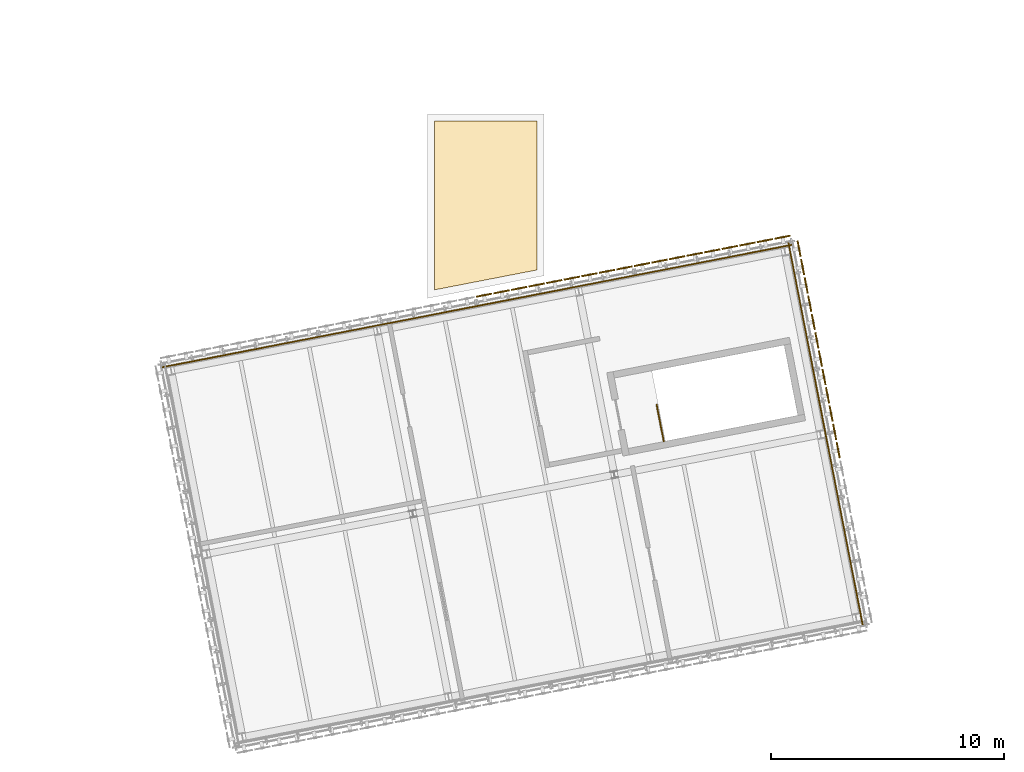
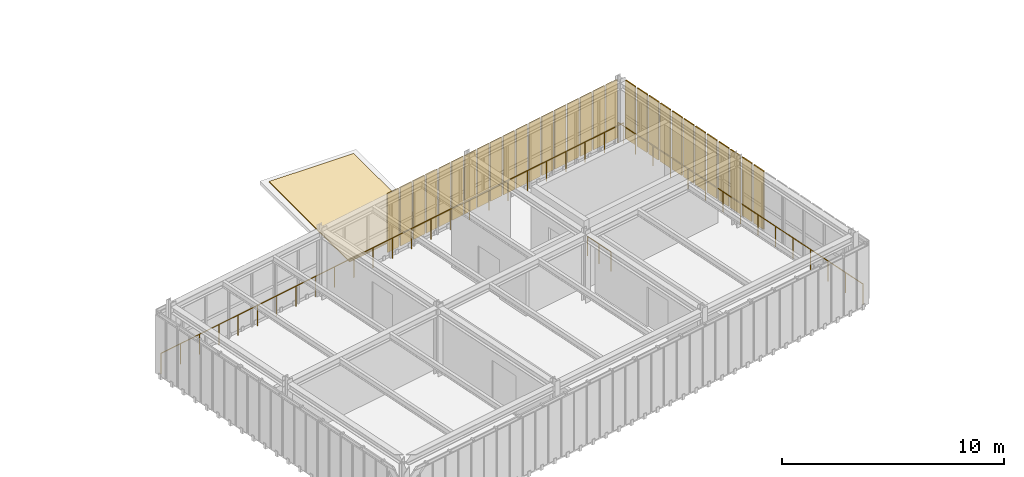
# One storey, part 43 of 44: 30 shading devices, 3 railings, 1 covering.
"""IFC4 building model written with IfcOpenShell, lengths in metres."""

from ifc_helpers import new_model, si_unit, direction, frame, origin, origin_2d, place, context, subcontext, project, spatial, polyline, rectangle, circle, outline, extrude, material, layer, layer_set, type_object, element, save


model = new_model("IFC4")

# Units and contexts
model_context = context("Model", 3, precision=1e-05, world=origin(), true_north=direction((0.0, 1.0)))
body_context = subcontext(model_context, "Body", "Model", "MODEL_VIEW")
ifc_project = project(units=[si_unit("LENGTHUNIT", "METRE"), si_unit("AREAUNIT", "SQUARE_METRE"), si_unit("VOLUMEUNIT", "CUBIC_METRE"), si_unit("PLANEANGLEUNIT", "RADIAN"), si_unit("MASSUNIT", "GRAM", prefix="KILO")], contexts=[model_context])

# Site, building, storey
site_placement = place(None, origin())
site = spatial("IfcSite", under=ifc_project, at=site_placement, CompositionType="ELEMENT")
building_placement = place(site_placement, origin())
building = spatial("IfcBuilding", under=site, at=building_placement, Name="Varnklinge Art Gallery", CompositionType="ELEMENT")
storey_placement = place(building_placement, frame((0.0, 0.0, 13.679931640625)))
storey = spatial("IfcBuildingStorey", under=building, at=storey_placement, Name="L03", CompositionType="ELEMENT", Elevation=13.679931640625)

# Railings
ifc_material_1 = material(Name="Anodised Aluminium", Category="aluminium")
railing_type_1 = type_object("IfcRailingType", Name="BAL-01", PredefinedType="BALUSTRADE", material=ifc_material_1)
railing_1_placement = place(storey_placement, frame((90.47265625, 66.853271484375, 0.0)))
element("IfcRailing", 1, at=railing_1_placement, inside=storey, type_object=railing_type_1, Name="BAL-V4B-L03-2-1", PredefinedType="BALUSTRADE", context=body_context, shape_type="SweptSolid", body=[
    extrude(circle(Radius=0.02392578125, at=origin_2d()), frame((0.0, 0.0, 1.11572265625), z_axis=(-0.19080897967, 0.981627186501, 0.0), x_axis=(-0.981627186501, -0.19080897967, 0.0)), (0.0, 0.0, 1.0), 16.7998046875),
    extrude(circle(Radius=0.02099609375, at=origin_2d()), origin(), (0.0, 0.0, 1.0), 1.091796875),
    extrude(circle(Radius=0.02099609375, at=origin_2d()), frame((-0.22900390625, 1.177978515625, 0.0)), (0.0, 0.0, 1.0), 1.091796875),
    extrude(circle(Radius=0.02099609375, at=origin_2d()), frame((-0.4580078125, 2.35595703125, 0.0)), (0.0, 0.0, 1.0), 1.091796875),
    extrude(circle(Radius=0.02099609375, at=origin_2d()), frame((-0.68701171875, 3.533935546875, 0.0)), (0.0, 0.0, 1.0), 1.091796875),
    extrude(circle(Radius=0.02099609375, at=origin_2d()), frame((-0.915771484375, 4.711669921875, 0.0)), (0.0, 0.0, 1.0), 1.091796875),
    extrude(circle(Radius=0.02099609375, at=origin_2d()), frame((-1.144775390625, 5.8896484375, 0.0)), (0.0, 0.0, 1.0), 1.091796875),
    extrude(circle(Radius=0.02099609375, at=origin_2d()), frame((-1.373779296875, 7.067626953125, 0.0)), (0.0, 0.0, 1.0), 1.091796875),
    extrude(circle(Radius=0.02099609375, at=origin_2d()), frame((-1.602783203125, 8.24560546875, 0.0)), (0.0, 0.0, 1.0), 1.091796875),
    extrude(circle(Radius=0.02099609375, at=origin_2d()), frame((-1.831787109375, 9.423583984375, 0.0)), (0.0, 0.0, 1.0), 1.091796875),
    extrude(circle(Radius=0.02099609375, at=origin_2d()), frame((-2.060791015625, 10.6015625, 0.0)), (0.0, 0.0, 1.0), 1.091796875),
    extrude(circle(Radius=0.02099609375, at=origin_2d()), frame((-2.289794921875, 11.779541015625, 0.0)), (0.0, 0.0, 1.0), 1.091796875),
    extrude(circle(Radius=0.02099609375, at=origin_2d()), frame((-2.5185546875, 12.957275390625, 0.0)), (0.0, 0.0, 1.0), 1.091796875),
    extrude(circle(Radius=0.02099609375, at=origin_2d()), frame((-2.74755859375, 14.13525390625, 0.0)), (0.0, 0.0, 1.0), 1.091796875),
    extrude(circle(Radius=0.02099609375, at=origin_2d()), frame((-2.9765625, 15.313232421875, 0.0)), (0.0, 0.0, 1.0), 1.091796875),
    extrude(circle(Radius=0.02099609375, at=origin_2d()), frame((-3.20556640625, 16.4912109375, 0.0)), (0.0, 0.0, 1.0), 1.091796875),
])
railing_2_placement = place(storey_placement, frame((87.47802734375, 83.2021484375, 0.0)))
element("IfcRailing", 2, at=railing_2_placement, inside=storey, type_object=railing_type_1, Name="BAL-V4B-L03-3-1", PredefinedType="BALUSTRADE", context=body_context, shape_type="SweptSolid", body=[
    extrude(circle(Radius=0.02392578125, at=origin_2d()), frame((0.0, 0.0, 1.11572265625), z_axis=(-0.981627127192, -0.190809284787, 0.0), x_axis=(0.190809284787, -0.981627127192, 0.0)), (0.0, 0.0, 1.0), 27.60009765625),
    extrude(circle(Radius=0.02099609375, at=origin_2d()), origin(), (0.0, 0.0, 1.0), 1.091796875),
    extrude(circle(Radius=0.02099609375, at=origin_2d()), frame((-1.12890625, -0.219482421875, 0.0)), (0.0, 0.0, 1.0), 1.091796875),
    extrude(circle(Radius=0.02099609375, at=origin_2d()), frame((-2.2578125, -0.43896484375, 0.0)), (0.0, 0.0, 1.0), 1.091796875),
    extrude(circle(Radius=0.02099609375, at=origin_2d()), frame((-3.38671875, -0.658203125, 0.0)), (0.0, 0.0, 1.0), 1.091796875),
    extrude(circle(Radius=0.02099609375, at=origin_2d()), frame((-4.515625, -0.877685546875, 0.0)), (0.0, 0.0, 1.0), 1.091796875),
    extrude(circle(Radius=0.02099609375, at=origin_2d()), frame((-5.644287109375, -1.09716796875, 0.0)), (0.0, 0.0, 1.0), 1.091796875),
    extrude(circle(Radius=0.02099609375, at=origin_2d()), frame((-6.773193359375, -1.316650390625, 0.0)), (0.0, 0.0, 1.0), 1.091796875),
    extrude(circle(Radius=0.02099609375, at=origin_2d()), frame((-7.902099609375, -1.5361328125, 0.0)), (0.0, 0.0, 1.0), 1.091796875),
    extrude(circle(Radius=0.02099609375, at=origin_2d()), frame((-9.031005859375, -1.75537109375, 0.0)), (0.0, 0.0, 1.0), 1.091796875),
    extrude(circle(Radius=0.02099609375, at=origin_2d()), frame((-10.159912109375, -1.974853515625, 0.0)), (0.0, 0.0, 1.0), 1.091796875),
    extrude(circle(Radius=0.02099609375, at=origin_2d()), frame((-11.288818359375, -2.1943359375, 0.0)), (0.0, 0.0, 1.0), 1.091796875),
    extrude(circle(Radius=0.02099609375, at=origin_2d()), frame((-12.417724609375, -2.413818359375, 0.0)), (0.0, 0.0, 1.0), 1.091796875),
    extrude(circle(Radius=0.02099609375, at=origin_2d()), frame((-13.54638671875, -2.63330078125, 0.0)), (0.0, 0.0, 1.0), 1.091796875),
    extrude(circle(Radius=0.02099609375, at=origin_2d()), frame((-14.67529296875, -2.8525390625, 0.0)), (0.0, 0.0, 1.0), 1.091796875),
    extrude(circle(Radius=0.02099609375, at=origin_2d()), frame((-15.80419921875, -3.072021484375, 0.0)), (0.0, 0.0, 1.0), 1.091796875),
    extrude(circle(Radius=0.02099609375, at=origin_2d()), frame((-16.93310546875, -3.29150390625, 0.0)), (0.0, 0.0, 1.0), 1.091796875),
    extrude(circle(Radius=0.02099609375, at=origin_2d()), frame((-18.06201171875, -3.510986328125, 0.0)), (0.0, 0.0, 1.0), 1.091796875),
    extrude(circle(Radius=0.02099609375, at=origin_2d()), frame((-19.19091796875, -3.730224609375, 0.0)), (0.0, 0.0, 1.0), 1.091796875),
    extrude(circle(Radius=0.02099609375, at=origin_2d()), frame((-20.31982421875, -3.94970703125, 0.0)), (0.0, 0.0, 1.0), 1.091796875),
    extrude(circle(Radius=0.02099609375, at=origin_2d()), frame((-21.44873046875, -4.169189453125, 0.0)), (0.0, 0.0, 1.0), 1.091796875),
    extrude(circle(Radius=0.02099609375, at=origin_2d()), frame((-22.57763671875, -4.388671875, 0.0)), (0.0, 0.0, 1.0), 1.091796875),
    extrude(circle(Radius=0.02099609375, at=origin_2d()), frame((-23.706298828125, -4.608154296875, 0.0)), (0.0, 0.0, 1.0), 1.091796875),
    extrude(circle(Radius=0.02099609375, at=origin_2d()), frame((-24.835205078125, -4.827392578125, 0.0)), (0.0, 0.0, 1.0), 1.091796875),
    extrude(circle(Radius=0.02099609375, at=origin_2d()), frame((-25.964111328125, -5.046875, 0.0)), (0.0, 0.0, 1.0), 1.091796875),
    extrude(circle(Radius=0.02099609375, at=origin_2d()), frame((-27.093017578125, -5.266357421875, 0.0)), (0.0, 0.0, 1.0), 1.091796875),
])
ifc_material_2 = material(Name="Steel S355", Category="steel")
railing_type_2 = type_object("IfcRailingType", Name="GR-INT", PredefinedType="GUARDRAIL", material=ifc_material_2)
railing_3_placement = place(storey_placement, frame((81.93505859375, 74.76953125, 0.0)))
element("IfcRailing", 3, at=railing_3_placement, inside=storey, type_object=railing_type_2, Name="L03 ST-10 top well guard 1", PredefinedType="GUARDRAIL", context=body_context, shape_type="SweptSolid", body=[
    extrude(circle(Radius=0.02392578125, at=origin_2d()), frame((0.0, 0.0, 1.076171875), z_axis=(-0.190776300176, 0.981633538186, 0.0), x_axis=(-0.981633538186, -0.190776300176, 0.0)), (0.0, 0.0, 1.0), 1.60986328125),
    extrude(circle(Radius=0.02099609375, at=origin_2d()), origin(), (0.0, 0.0, 1.0), 1.052001953125),
    extrude(circle(Radius=0.02099609375, at=origin_2d()), frame((-0.153564453125, 0.7900390625, 0.0)), (0.0, 0.0, 1.0), 1.052001953125),
    extrude(circle(Radius=0.02099609375, at=origin_2d()), frame((-0.30712890625, 1.580322265625, 0.0)), (0.0, 0.0, 1.0), 1.052001953125),
])

# Covering
ifc_material_3 = material(Name="Polymer-Modified Bitumen Roofing", Category="membrane")
ifc_layer_1 = layer(ifc_material_3, 0.06005859375)
ifc_layer_set_1 = layer_set([ifc_layer_1], Name="Polymer-Modified Bitumen Roofing")
covering_type = type_object("IfcCoveringType", Name="RFG-MEM", PredefinedType="ROOFING", material=ifc_layer_set_1)
covering_placement = place(storey_placement, origin())
element("IfcCovering", 4, at=covering_placement, inside=storey, type_object=covering_type, Name="L03 Roof Covering 11", PredefinedType="ROOFING", context=body_context, shape_type="SweptSolid", body=[
    extrude(outline(polyline([(76.5, 82.117431640625), (76.5, 88.5), (72.10009765625, 88.5), (72.10009765625, 81.26220703125), (76.5, 82.117431640625)])), origin(), (0.0, 0.0, 1.0), 0.06005859375),
])

# Shading devices
ifc_material_4 = material(Name="Perforated Aluminium-Precast Lattice", Category="concrete")
ifc_layer_2 = layer(ifc_material_4, 0.06005859375)
ifc_layer_set_2 = layer_set([ifc_layer_2], Name="Perforated Aluminium-Precast Lattice")
shading_device_type = type_object("IfcShadingDeviceType", Name="SHD-LAT", PredefinedType="USERDEFINED", material=ifc_layer_set_2)
for number, where, z_axis, x_axis, name in (
    (5, (89.4150390625, 74.389892578125, 0.10009765625), (0.0, 0.0, 1.0), (-0.190808995377, 0.981627183448, 0.0), "L03 Perforated Lattice Screen 2.2.3"),
    (6, (89.262451171875, 75.175048828125, 0.10009765625), (0.0, 0.0, 1.0), (-0.190808995377, 0.981627183448, 0.0), "L03 Perforated Lattice Screen 2.2.4"),
    (7, (89.10986328125, 75.96044921875, 0.10009765625), (0.0, 0.0, 1.0), (-0.190808995377, 0.981627183448, 0.0), "L03 Perforated Lattice Screen 2.2.5"),
    (8, (88.957275390625, 76.74560546875, 0.10009765625), (0.0, 0.0, 1.0), (-0.190808995377, 0.981627183448, 0.0), "L03 Perforated Lattice Screen 2.2.6"),
    (9, (88.804443359375, 77.531005859375, 0.10009765625), (0.0, 0.0, 1.0), (-0.190808995377, 0.981627183448, 0.0), "L03 Perforated Lattice Screen 2.2.7"),
    (10, (88.65185546875, 78.31640625, 0.10009765625), (0.0, 0.0, 1.0), (-0.190808995377, 0.981627183448, 0.0), "L03 Perforated Lattice Screen 2.3.1"),
    (11, (88.499267578125, 79.1015625, 0.10009765625), (0.0, 0.0, 1.0), (-0.190808995377, 0.981627183448, 0.0), "L03 Perforated Lattice Screen 2.3.2"),
    (12, (88.3466796875, 79.886962890625, 0.10009765625), (0.0, 0.0, 1.0), (-0.190808995377, 0.981627183448, 0.0), "L03 Perforated Lattice Screen 2.3.3"),
    (13, (88.19384765625, 80.672119140625, 0.10009765625), (0.0, 0.0, 1.0), (-0.190808995377, 0.981627183448, 0.0), "L03 Perforated Lattice Screen 2.3.4"),
    (14, (88.041259765625, 81.45751953125, 0.10009765625), (0.0, 0.0, 1.0), (-0.190808995377, 0.981627183448, 0.0), "L03 Perforated Lattice Screen 2.3.5"),
    (15, (87.888671875, 82.242919921875, 0.10009765625), (0.0, 0.0, 1.0), (-0.190808995377, 0.981627183448, 0.0), "L03 Perforated Lattice Screen 2.3.6"),
    (16, (87.736083984375, 83.028076171875, 0.10009765625), (0.0, 0.0, 1.0), (-0.190808995377, 0.981627183448, 0.0), "L03 Perforated Lattice Screen 2.3.7"),
    (17, (87.025390625, 83.521484375, 0.10009765625), (0.0, 0.0, 1.0), (-0.981627183448, -0.190808995377, 0.0), "L03 Perforated Lattice Screen 3.1.1"),
    (18, (86.272705078125, 83.375244140625, 0.10009765625), (0.0, 0.0, 1.0), (-0.981627183448, -0.190808995377, 0.0), "L03 Perforated Lattice Screen 3.1.2"),
    (19, (85.520263671875, 83.22900390625, 0.10009765625), (0.0, 0.0, 1.0), (-0.981627183448, -0.190808995377, 0.0), "L03 Perforated Lattice Screen 3.1.3"),
    (20, (84.767578125, 83.082763671875, 0.10009765625), (0.0, 0.0, 1.0), (-0.981627183448, -0.190808995377, 0.0), "L03 Perforated Lattice Screen 3.1.4"),
    (21, (84.01513671875, 82.9365234375, 0.10009765625), (0.0, 0.0, 1.0), (-0.981627183448, -0.190808995377, 0.0), "L03 Perforated Lattice Screen 3.1.5"),
    (22, (83.262451171875, 82.790283203125, 0.10009765625), (0.0, 0.0, 1.0), (-0.981627183448, -0.190808995377, 0.0), "L03 Perforated Lattice Screen 3.1.6"),
    (23, (82.510009765625, 82.643798828125, 0.10009765625), (0.0, 0.0, 1.0), (-0.981627183448, -0.190808995377, 0.0), "L03 Perforated Lattice Screen 3.1.7"),
    (24, (81.75732421875, 82.49755859375, 0.10009765625), (0.0, 0.0, 1.0), (-0.981627183448, -0.190808995377, 0.0), "L03 Perforated Lattice Screen 3.1.8"),
    (25, (81.0048828125, 82.351318359375, 0.10009765625), (0.0, 0.0, 1.0), (-0.981627183448, -0.190808995377, 0.0), "L03 Perforated Lattice Screen 3.1.9"),
    (26, (80.252197265625, 82.205078125, 0.10009765625), (0.0, 0.0, 1.0), (-0.981627183448, -0.190808995377, 0.0), "L03 Perforated Lattice Screen 3.2.1"),
    (27, (79.49951171875, 82.058837890625, 0.10009765625), (0.0, 0.0, 1.0), (-0.981627183448, -0.190808995377, 0.0), "L03 Perforated Lattice Screen 3.2.2"),
    (28, (78.7470703125, 81.91259765625, 0.10009765625), (0.0, 0.0, 1.0), (-0.981627183448, -0.190808995377, 0.0), "L03 Perforated Lattice Screen 3.2.3"),
    (29, (77.994384765625, 81.76611328125, 0.10009765625), (0.0, 0.0, 1.0), (-0.981627183448, -0.190808995377, 0.0), "L03 Perforated Lattice Screen 3.2.4"),
    (30, (77.24169921875, 81.619873046875, 0.10009765625), (0.0, 0.0, 1.0), (-0.981627183448, -0.190808995377, 0.0), "L03 Perforated Lattice Screen 3.2.5"),
    (31, (76.4892578125, 81.4736328125, 0.10009765625), (0.0, 0.0, 1.0), (-0.981627183448, -0.190808995377, 0.0), "L03 Perforated Lattice Screen 3.2.6"),
    (32, (75.73681640625, 81.327392578125, 0.10009765625), (0.0, 0.0, 1.0), (-0.981627183448, -0.190808995377, 0.0), "L03 Perforated Lattice Screen 3.2.7"),
    (33, (74.984130859375, 81.180908203125, 0.10009765625), (0.0, 0.0, 1.0), (-0.981627183448, -0.190808995377, 0.0), "L03 Perforated Lattice Screen 3.2.8"),
    (34, (74.2314453125, 81.034912109375, 0.10009765625), (0.0, 0.0, 1.0), (-0.981627183448, -0.190808995377, 0.0), "L03 Perforated Lattice Screen 3.2.9"),
):
    element("IfcShadingDevice", number, at=place(storey_placement, frame(where, z_axis=z_axis, x_axis=x_axis)), inside=storey, type_object=shading_device_type, Name=name, ObjectType="LATTICE SCREEN", PredefinedType="USERDEFINED", context=body_context, shape_type="SweptSolid", body=[
        extrude(rectangle(XDim=0.679931640625, YDim=0.06005859375, at=origin_2d()), origin(), (0.0, 0.0, 1.0), 3.2099609375),
    ])

save(model, "model.ifc")
